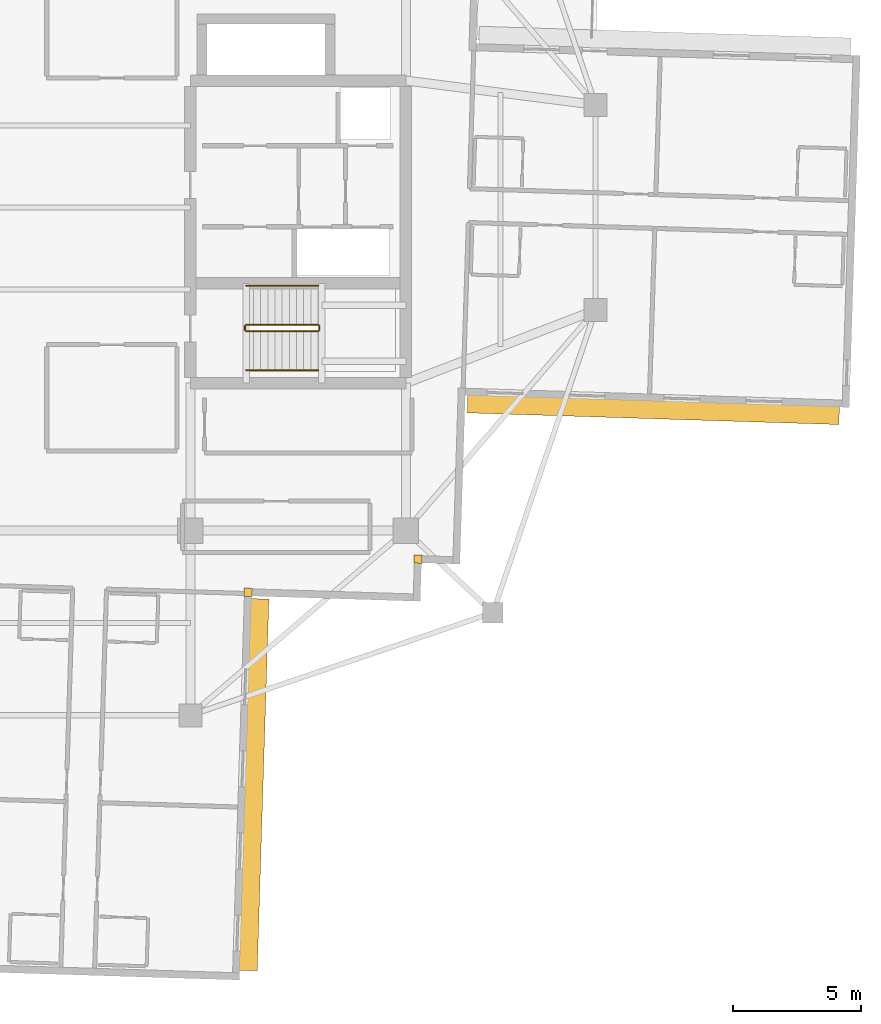
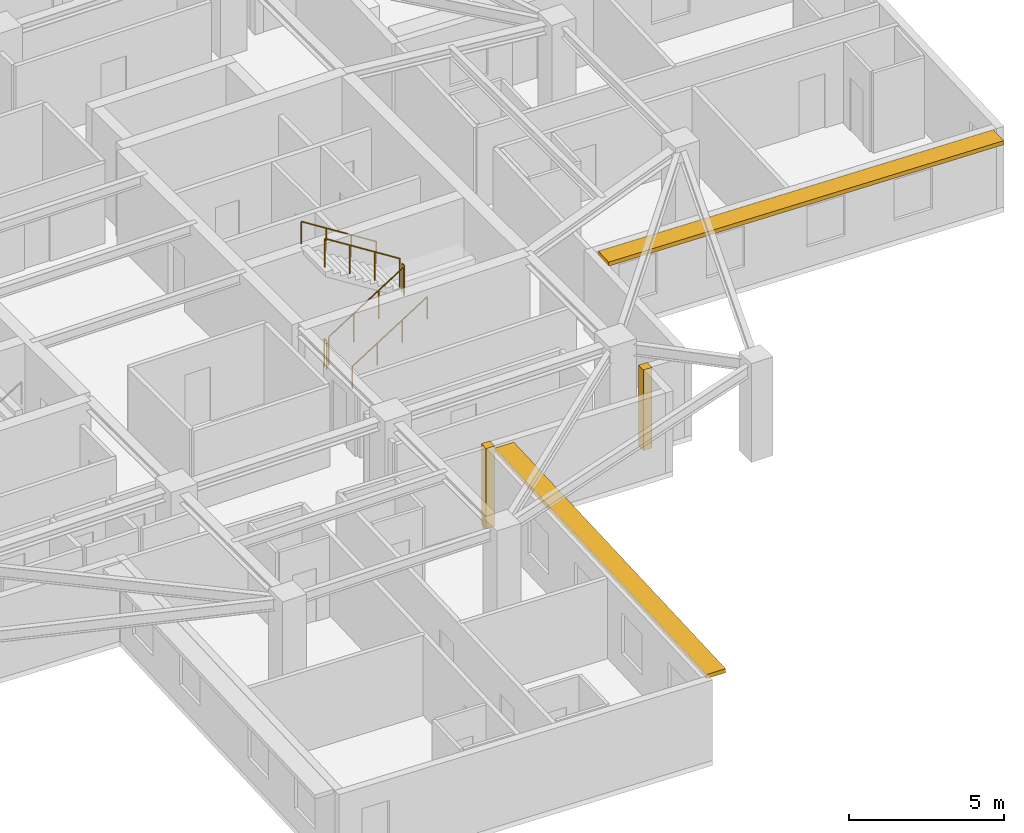
# One storey, part 10 of 12: 6 railings, 2 coverings, 2 shading devices.
"""IFC4 building model written with IfcOpenShell, lengths in metres."""

from ifc_helpers import new_model, si_unit, direction, frame, origin, origin_2d, place, context, subcontext, project, spatial, rectangle, circle, extrude, material, layer, layer_set, type_object, element, save


model = new_model("IFC4")

# Units and contexts
model_context = context("Model", 3, precision=1e-05, world=origin(), true_north=direction((0.0, 1.0)))
body_context = subcontext(model_context, "Body", "Model", "MODEL_VIEW")
ifc_project = project(units=[si_unit("LENGTHUNIT", "METRE"), si_unit("AREAUNIT", "SQUARE_METRE"), si_unit("VOLUMEUNIT", "CUBIC_METRE"), si_unit("PLANEANGLEUNIT", "RADIAN"), si_unit("MASSUNIT", "GRAM", prefix="KILO")], contexts=[model_context])

# Site, building, storey
site_placement = place(None, origin())
site = spatial("IfcSite", under=ifc_project, at=site_placement, CompositionType="ELEMENT")
building_placement = place(site_placement, origin())
building = spatial("IfcBuilding", under=site, at=building_placement, Name="Qingluan Cross Belvedere", CompositionType="ELEMENT")
storey_placement = place(building_placement, frame((0.0, 0.0, 232.5)))
storey = spatial("IfcBuildingStorey", under=building, at=storey_placement, Name="L58", CompositionType="ELEMENT", Elevation=232.5)

# Coverings
ifc_material_1 = material(Name="Precast concrete C45", Category="concrete")
ifc_layer_1 = layer(ifc_material_1, 0.1201171875, Name="ConcreteSpandrelCladding_120")
ifc_layer_set_1 = layer_set([ifc_layer_1], Name="Precast concrete C45")
covering_type = type_object("IfcCoveringType", Name="ConcreteSpandrelCladding_120", PredefinedType="CLADDING", material=ifc_layer_set_1)
for number, where, z_axis, x_axis, name in (
    (1, (12.875732421875, -13.711181640625, 0.0), (0.0, 0.0, 1.0), (0.999506560366, -0.031410759078, 0.0), "Corner closure L58-SE1"),
    (2, (6.251708984375, -15.00390625, 0.0), (0.0, 0.0, 1.0), (0.999506560366, -0.031410759078, 0.0), "Corner closure L58-SE2"),
):
    element("IfcCovering", number, at=place(storey_placement, frame(where, z_axis=z_axis, x_axis=x_axis)), inside=storey, type_object=covering_type, Name=name, PredefinedType="CLADDING", context=body_context, shape_type="SweptSolid", body=[
        extrude(rectangle(XDim=0.320068359375, YDim=0.320068359375, at=origin_2d()), origin(), (0.0, 0.0, 1.0), 3.179931640625),
    ])

# Shading devices
ifc_material_2 = material(Name="Precast concrete C45", Category="concrete")
ifc_layer_2 = layer(ifc_material_2, 0.139892578125, Name="ConcreteSunshadeBand_700")
ifc_layer_set_2 = layer_set([ifc_layer_2], Name="Precast concrete C45")
shading_device_type = type_object("IfcShadingDeviceType", Name="ConcreteSunshadeBand_700", PredefinedType="USERDEFINED", material=ifc_layer_set_2)
for number, where, z_axis, x_axis, name in (
    (3, (22.052978515625, -7.88671875, 3.0), (0.0, 0.0, 1.0), (0.999506645453, -0.031408051437, 0.0), "Concrete SUNSHADE L58-EA"),
    (4, (6.486328125, -22.5048828125, 3.0), (0.0, 0.0, 1.0), (0.031408051437, 0.999506645453, 0.0), "Concrete SUNSHADE L58-SB"),
):
    element("IfcShadingDevice", number, at=place(storey_placement, frame(where, z_axis=z_axis, x_axis=x_axis)), inside=storey, type_object=shading_device_type, Name=name, ObjectType="SUNSHADE", PredefinedType="USERDEFINED", context=body_context, shape_type="SweptSolid", body=[
        extrude(rectangle(XDim=14.5, YDim=0.699951171875, at=origin_2d()), origin(), (0.0, 0.0, 1.0), 0.159912109375),
    ])

# Railings
ifc_material_3 = material(Name="Brushed stainless steel tubular handrail", Category="steel")
railing_type_1 = type_object("IfcRailingType", Name="StairPitchHandrail_900", PredefinedType="HANDRAIL", material=ifc_material_3)
railing_1_placement = place(storey_placement, frame((6.179931640625, -6.35009765625, 0.17724609375)))
element("IfcRailing", 5, at=railing_1_placement, inside=storey, type_object=railing_type_1, Name="L58 ST2 stair handrail 1", PredefinedType="HANDRAIL", context=body_context, shape_type="SweptSolid", body=[
    extrude(circle(Radius=0.02392578125, at=origin_2d()), frame((0.0, 0.0, 0.8759765625), z_axis=(0.844908973607, 0.0, 0.534910110503), x_axis=(0.0, 1.0, 0.0)), (0.0, 0.0, 1.0), 3.31396484375),
    extrude(circle(Radius=0.02099609375, at=origin_2d()), origin(), (0.0, 0.0, 1.0), 0.851806640625),
    extrude(circle(Radius=0.02099609375, at=origin_2d()), frame((0.933349609375, 0.0, 0.5908203125)), (0.0, 0.0, 1.0), 0.851806640625),
    extrude(circle(Radius=0.02099609375, at=origin_2d()), frame((1.86669921875, 0.0, 1.181884765625)), (0.0, 0.0, 1.0), 0.851806640625),
    extrude(circle(Radius=0.02099609375, at=origin_2d()), frame((2.800048828125, 0.0, 1.772705078125)), (0.0, 0.0, 1.0), 0.851806640625),
])
railing_2_placement = place(storey_placement, frame((8.97998046875, -3.050048828125, 2.127197265625)))
element("IfcRailing", 6, at=railing_2_placement, inside=storey, type_object=railing_type_1, Name="L58 ST2 stair handrail 2", PredefinedType="HANDRAIL", context=body_context, shape_type="SweptSolid", body=[
    extrude(circle(Radius=0.02392578125, at=origin_2d()), frame((0.0, 0.0, 0.8759765625), z_axis=(-0.844908973607, 0.0, 0.534910110503), x_axis=(0.0, -1.0, 0.0)), (0.0, 0.0, 1.0), 3.31396484375),
    extrude(circle(Radius=0.02099609375, at=origin_2d()), origin(), (0.0, 0.0, 1.0), 0.851806640625),
    extrude(circle(Radius=0.02099609375, at=origin_2d()), frame((-0.933349609375, 0.0, 0.5908203125)), (0.0, 0.0, 1.0), 0.851806640625),
    extrude(circle(Radius=0.02099609375, at=origin_2d()), frame((-1.86669921875, 0.0, 1.181884765625)), (0.0, 0.0, 1.0), 0.851806640625),
    extrude(circle(Radius=0.02099609375, at=origin_2d()), frame((-2.800048828125, 0.0, 1.772705078125)), (0.0, 0.0, 1.0), 0.851806640625),
])
ifc_material_4 = material(Name="Painted steel stair well guard", Category="steel")
railing_type_2 = type_object("IfcRailingType", Name="StairWellGuard_1150", PredefinedType="BALUSTRADE", material=ifc_material_4)
railing_3_placement = place(storey_placement, frame((6.179931640625, -4.830078125, 0.17724609375)))
element("IfcRailing", 7, at=railing_3_placement, inside=storey, type_object=railing_type_2, Name="L58 ST2 stair guard 1", PredefinedType="BALUSTRADE", context=body_context, shape_type="SweptSolid", body=[
    extrude(circle(Radius=0.02392578125, at=origin_2d()), frame((0.0, 0.0, 1.1259765625), z_axis=(0.844908973607, 0.0, 0.534910110503), x_axis=(0.0, 1.0, 0.0)), (0.0, 0.0, 1.0), 3.31396484375),
    extrude(circle(Radius=0.02099609375, at=origin_2d()), origin(), (0.0, 0.0, 1.0), 1.101806640625),
    extrude(circle(Radius=0.02099609375, at=origin_2d()), frame((0.933349609375, 0.0, 0.5908203125)), (0.0, 0.0, 1.0), 1.101806640625),
    extrude(circle(Radius=0.02099609375, at=origin_2d()), frame((1.86669921875, 0.0, 1.181884765625)), (0.0, 0.0, 1.0), 1.101806640625),
    extrude(circle(Radius=0.02099609375, at=origin_2d()), frame((2.800048828125, 0.0, 1.772705078125)), (0.0, 0.0, 1.0), 1.101806640625),
])
railing_4_placement = place(storey_placement, frame((9.030029296875, -4.780029296875, 1.949951171875)))
element("IfcRailing", 8, at=railing_4_placement, inside=storey, type_object=railing_type_2, Name="L58 ST2 stair guard 2", PredefinedType="BALUSTRADE", context=body_context, shape_type="SweptSolid", body=[
    extrude(circle(Radius=0.02392578125, at=origin_2d()), frame((0.0, 0.0, 1.1259765625), z_axis=(0.0, 1.0, 0.0), x_axis=(-1.0, 0.0, 0.0)), (0.0, 0.0, 1.0), 0.159912109375),
    extrude(circle(Radius=0.02099609375, at=origin_2d()), origin(), (0.0, 0.0, 1.0), 1.101806640625),
    extrude(circle(Radius=0.02099609375, at=origin_2d()), frame((0.0, 0.159912109375, 0.0)), (0.0, 0.0, 1.0), 1.101806640625),
])
railing_5_placement = place(storey_placement, frame((8.97998046875, -4.570068359375, 2.127197265625)))
element("IfcRailing", 9, at=railing_5_placement, inside=storey, type_object=railing_type_2, Name="L58 ST2 stair guard 3", PredefinedType="BALUSTRADE", context=body_context, shape_type="SweptSolid", body=[
    extrude(circle(Radius=0.02392578125, at=origin_2d()), frame((0.0, 0.0, 1.1259765625), z_axis=(-0.844908973607, 0.0, 0.534910110503), x_axis=(0.0, -1.0, 0.0)), (0.0, 0.0, 1.0), 3.31396484375),
    extrude(circle(Radius=0.02099609375, at=origin_2d()), origin(), (0.0, 0.0, 1.0), 1.101806640625),
    extrude(circle(Radius=0.02099609375, at=origin_2d()), frame((-0.933349609375, 0.0, 0.5908203125)), (0.0, 0.0, 1.0), 1.101806640625),
    extrude(circle(Radius=0.02099609375, at=origin_2d()), frame((-1.86669921875, 0.0, 1.181884765625)), (0.0, 0.0, 1.0), 1.101806640625),
    extrude(circle(Radius=0.02099609375, at=origin_2d()), frame((-2.800048828125, 0.0, 1.772705078125)), (0.0, 0.0, 1.0), 1.101806640625),
])
railing_6_placement = place(storey_placement, frame((6.1298828125, -4.780029296875, 0.0)))
element("IfcRailing", 10, at=railing_6_placement, inside=storey, type_object=railing_type_2, Name="L58 ST2 stair guard 4", PredefinedType="BALUSTRADE", context=body_context, shape_type="SweptSolid", body=[
    extrude(circle(Radius=0.02392578125, at=origin_2d()), frame((0.0, 0.0, 1.1259765625), z_axis=(0.0, 1.0, 0.0), x_axis=(-1.0, 0.0, 0.0)), (0.0, 0.0, 1.0), 0.159912109375),
    extrude(circle(Radius=0.02099609375, at=origin_2d()), origin(), (0.0, 0.0, 1.0), 1.101806640625),
    extrude(circle(Radius=0.02099609375, at=origin_2d()), frame((0.0, 0.159912109375, 0.0)), (0.0, 0.0, 1.0), 1.101806640625),
])

save(model, "model.ifc")
